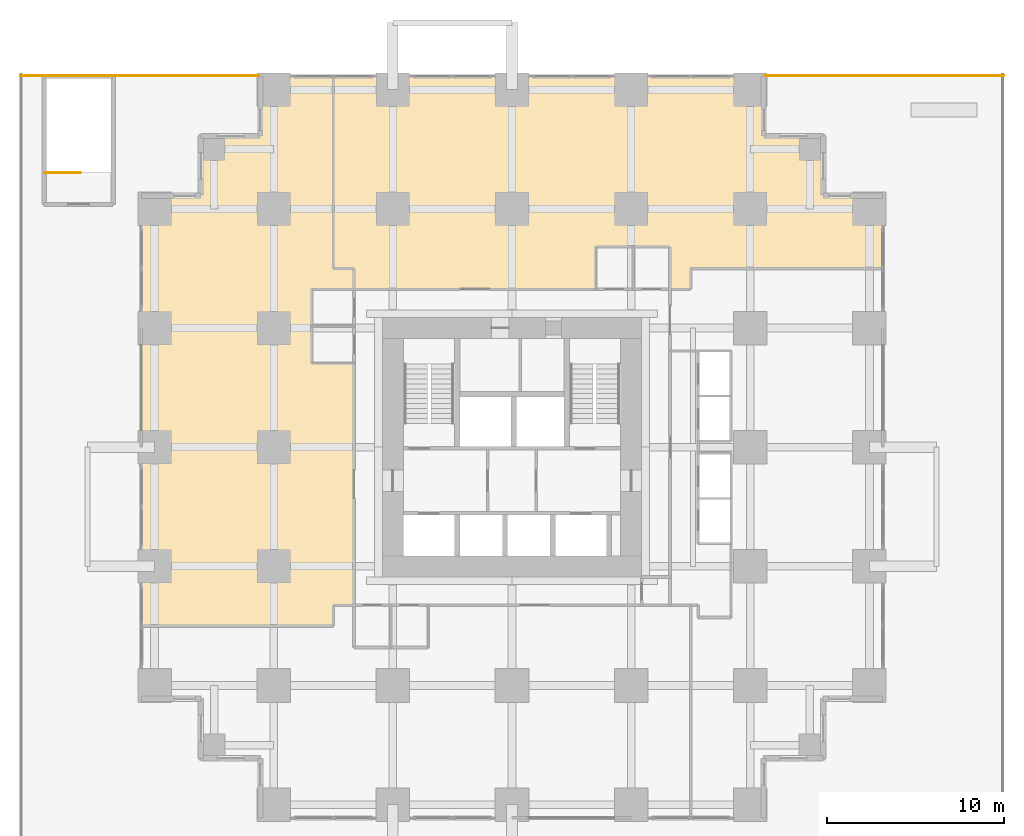
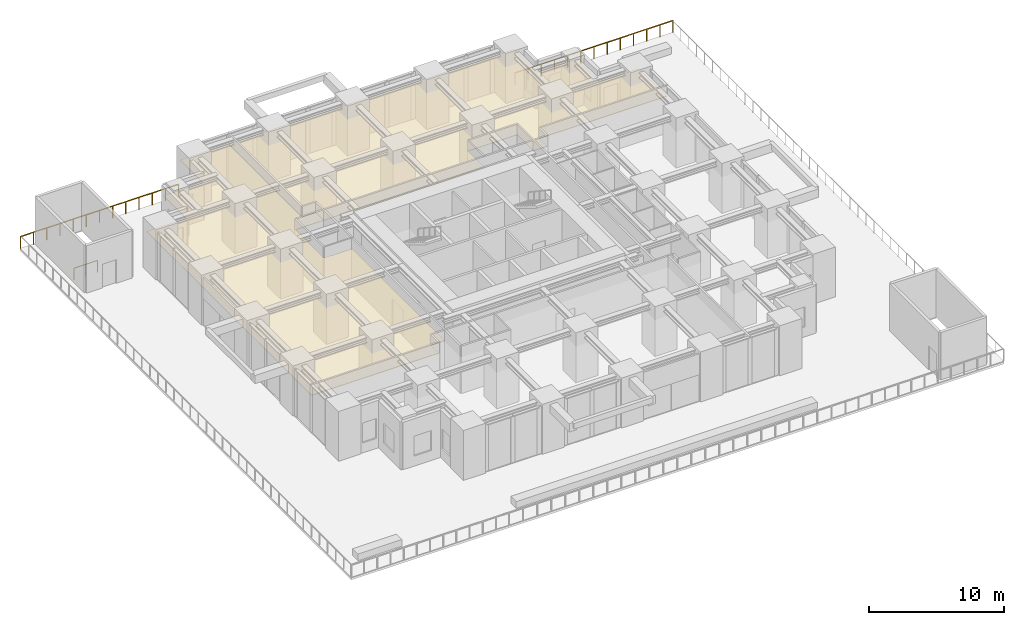
# One storey, part 9 of 9: 7 railings, 2 coverings.
"""IFC4 building model written with IfcOpenShell, lengths in metres."""

from ifc_helpers import new_model, si_unit, direction, frame, origin, origin_2d, place, context, subcontext, project, spatial, polyline, rectangle, outline, extrude, material, layer, layer_set, type_object, element, save


model = new_model("IFC4")

# Units and contexts
model_context = context("Model", 3, precision=1e-05, world=origin(), true_north=direction((0.0, 1.0)))
body_context = subcontext(model_context, "Body", "Model", "MODEL_VIEW")
ifc_project = project(units=[si_unit("LENGTHUNIT", "METRE"), si_unit("AREAUNIT", "SQUARE_METRE"), si_unit("VOLUMEUNIT", "CUBIC_METRE"), si_unit("PLANEANGLEUNIT", "RADIAN"), si_unit("MASSUNIT", "GRAM", prefix="KILO")], contexts=[model_context])

# Site, building, storey
site_placement = place(None, origin())
site = spatial("IfcSite", under=ifc_project, at=site_placement, CompositionType="ELEMENT")
building_placement = place(site_placement, origin())
building = spatial("IfcBuilding", under=site, at=building_placement, Name="Nyansa Garden Tower", CompositionType="ELEMENT")
storey_placement = place(building_placement, frame((0.0, 0.0, 13.5)))
storey = spatial("IfcBuildingStorey", under=building, at=storey_placement, Name="L03", CompositionType="ELEMENT", Elevation=13.5)

# Railings
ifc_material_1 = material(Name="Black powder-coated steel balusters", Category="steel")
railing_type_1 = type_object("IfcRailingType", Name="Stair well guard G3", PredefinedType="GUARDRAIL", material=ifc_material_1)
railing_placement = place(storey_placement, frame((-6.199951171875, 35.800048828125, 0.0)))
element("IfcRailing", 1, at=railing_placement, inside=storey, type_object=railing_type_1, Name="Stair S3 well guard L03", PredefinedType="GUARDRAIL", context=body_context, shape_type="SweptSolid", body=[
    extrude(rectangle(XDim=0.048095703125, YDim=0.048095703125, at=origin_2d()), frame((0.0, 0.0, 1.076171875), z_axis=(1.0, 0.0, 0.0), x_axis=(0.0, 1.0, 0.0)), (0.0, 0.0, 1.0), 2.0),
    extrude(rectangle(XDim=0.0419921875, YDim=0.0419921875, at=origin_2d()), origin(), (0.0, 0.0, 1.0), 1.052001953125),
    extrude(rectangle(XDim=0.0419921875, YDim=0.0419921875, at=origin_2d()), frame((1.0, 0.0, 0.0)), (0.0, 0.0, 1.0), 1.052001953125),
    extrude(rectangle(XDim=0.0419921875, YDim=0.0419921875, at=origin_2d()), frame((2.0, 0.0, 0.0)), (0.0, 0.0, 1.0), 1.052001953125),
])
ifc_material_2 = material(Name="Black powder-coated steel, laminated glass infill", Category="steel")
railing_type_2 = type_object("IfcRailingType", Name="Terrace guard G2", PredefinedType="GUARDRAIL", material=ifc_material_2)
for number, where, name in (
    (2, (-7.60009765625, 41.300048828125, 0.0), "Terrace guard L03"),
    (3, (41.35009765625, 41.300048828125, 0.0), "Terrace guard L03"),
):
    element("IfcRailing", number, at=place(storey_placement, frame(where)), inside=storey, type_object=railing_type_2, Name=name, PredefinedType="GUARDRAIL", context=body_context, shape_type="SweptSolid", body=[
        extrude(rectangle(XDim=0.048095703125, YDim=0.048095703125, at=origin_2d()), frame((0.0, 0.0, 1.076171875), z_axis=(1.0, 0.0, 0.0), x_axis=(0.0, 1.0, 0.0)), (0.0, 0.0, 1.0), 6.75),
        extrude(rectangle(XDim=0.0419921875, YDim=0.0419921875, at=origin_2d()), origin(), (0.0, 0.0, 1.0), 1.052001953125),
        extrude(rectangle(XDim=0.0419921875, YDim=0.0419921875, at=origin_2d()), frame((1.125, 0.0, 0.0)), (0.0, 0.0, 1.0), 1.052001953125),
        extrude(rectangle(XDim=0.0419921875, YDim=0.0419921875, at=origin_2d()), frame((2.25, 0.0, 0.0)), (0.0, 0.0, 1.0), 1.052001953125),
        extrude(rectangle(XDim=0.0419921875, YDim=0.0419921875, at=origin_2d()), frame((3.375, 0.0, 0.0)), (0.0, 0.0, 1.0), 1.052001953125),
        extrude(rectangle(XDim=0.0419921875, YDim=0.0419921875, at=origin_2d()), frame((4.5, 0.0, 0.0)), (0.0, 0.0, 1.0), 1.052001953125),
        extrude(rectangle(XDim=0.0419921875, YDim=0.0419921875, at=origin_2d()), frame((5.625, 0.0, 0.0)), (0.0, 0.0, 1.0), 1.052001953125),
        extrude(rectangle(XDim=0.0419921875, YDim=0.0419921875, at=origin_2d()), frame((6.75, 0.0, 0.0)), (0.0, 0.0, 1.0), 1.052001953125),
    ])
for number, where, name in (
    (4, (-0.85009765625, 41.300048828125, 0.0), "Terrace guard L03"),
    (5, (37.97509765625, 41.300048828125, 0.0), "Terrace guard L03"),
    (6, (2.52490234375, 41.300048828125, 0.0), "Terrace guard L03"),
    (7, (34.60009765625, 41.300048828125, 0.0), "Terrace guard L03"),
):
    element("IfcRailing", number, at=place(storey_placement, frame(where)), inside=storey, type_object=railing_type_2, Name=name, PredefinedType="GUARDRAIL", context=body_context, shape_type="SweptSolid", body=[
        extrude(rectangle(XDim=0.048095703125, YDim=0.048095703125, at=origin_2d()), frame((0.0, 0.0, 1.076171875), z_axis=(1.0, 0.0, 0.0), x_axis=(0.0, 1.0, 0.0)), (0.0, 0.0, 1.0), 3.375),
        extrude(rectangle(XDim=0.0419921875, YDim=0.0419921875, at=origin_2d()), origin(), (0.0, 0.0, 1.0), 1.052001953125),
        extrude(rectangle(XDim=0.0419921875, YDim=0.0419921875, at=origin_2d()), frame((1.125, 0.0, 0.0)), (0.0, 0.0, 1.0), 1.052001953125),
        extrude(rectangle(XDim=0.0419921875, YDim=0.0419921875, at=origin_2d()), frame((2.25, 0.0, 0.0)), (0.0, 0.0, 1.0), 1.052001953125),
        extrude(rectangle(XDim=0.0419921875, YDim=0.0419921875, at=origin_2d()), frame((3.375, 0.0, 0.0)), (0.0, 0.0, 1.0), 1.052001953125),
    ])

# Coverings
ifc_material_3 = material(Name="Glazed ceramic tile coffers on suspended grid")
ifc_layer = layer(ifc_material_3, 0.0400390625)
ifc_layer_set = layer_set([ifc_layer], Name="Tiled coffered ceiling CL40")
covering_type = type_object("IfcCoveringType", Name="Tiled coffered ceiling CL40", PredefinedType="CEILING", material=ifc_layer_set)
covering_1_placement = place(storey_placement, frame((0.0, 0.0, 3.235107421875)))
element("IfcCovering", 8, at=covering_1_placement, inside=storey, type_object=covering_type, Name="Ceiling L03-025", PredefinedType="CEILING", context=body_context, shape_type="SweptSolid", body=[
    extrude(outline(polyline([(34.5, 37.875), (37.875, 37.875), (37.875, 34.5), (41.25, 34.5), (41.25, 30.375), (30.375, 30.375), (30.375, 29.199951171875), (29.199951171875, 29.199951171875), (29.199951171875, 31.60009765625), (25.0, 31.60009765625), (25.0, 29.199951171875), (11.300048828125, 29.199951171875), (11.300048828125, 30.375), (10.125, 30.375), (10.125, 41.25), (34.5, 41.25), (34.5, 37.875)])), origin(), (0.0, 0.0, 1.0), 0.039794921875),
])
covering_2_placement = place(storey_placement, frame((0.0, 0.0, 3.235107421875)))
element("IfcCovering", 9, at=covering_2_placement, inside=storey, type_object=covering_type, Name="Ceiling L03-028", PredefinedType="CEILING", context=body_context, shape_type="SweptSolid", body=[
    extrude(outline(polyline([(2.625, 34.5), (2.625, 37.875), (6.0, 37.875), (6.0, 41.25), (10.125, 41.25), (10.125, 30.375), (11.300048828125, 30.375), (11.300048828125, 29.199951171875), (8.89990234375, 29.199951171875), (8.89990234375, 25.0), (11.300048828125, 25.0), (11.300048828125, 11.300048828125), (10.125, 11.300048828125), (10.125, 10.125), (-0.75, 10.125), (-0.75, 34.5), (2.625, 34.5)])), origin(), (0.0, 0.0, 1.0), 0.039794921875),
])

save(model, "model.ifc")
